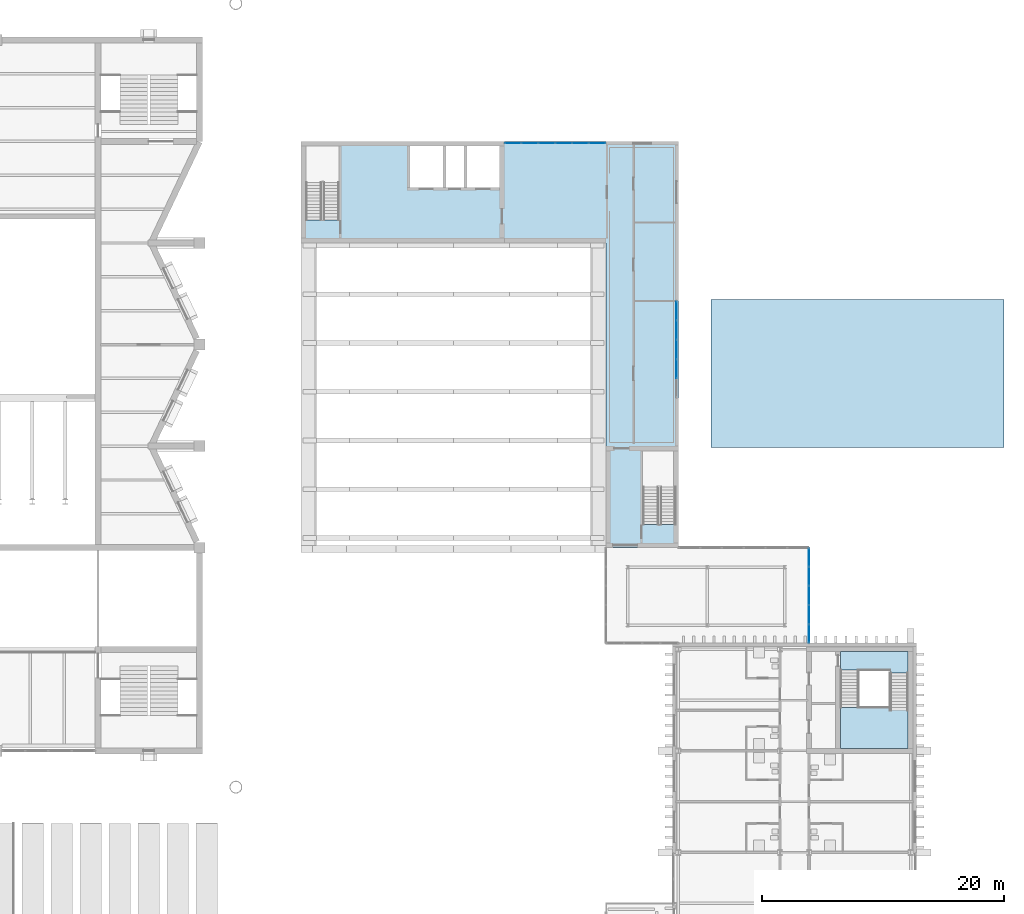
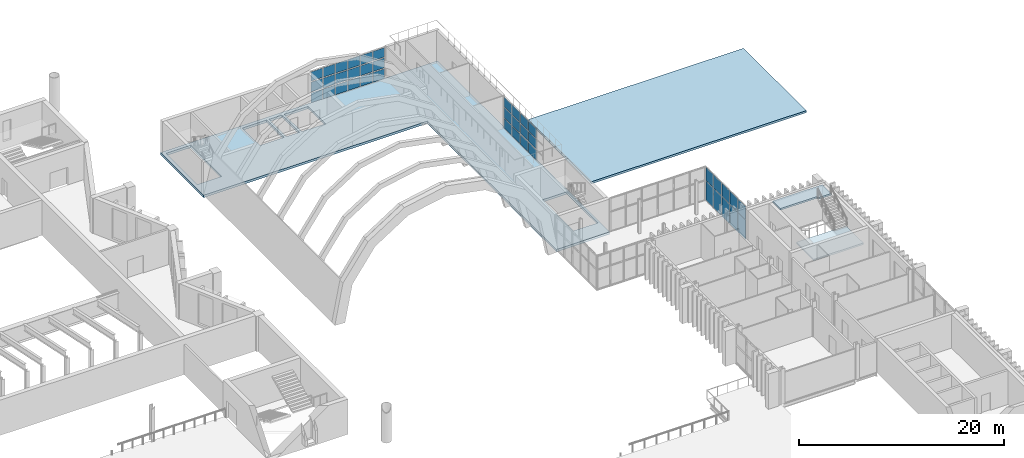
# One storey, part 55 of 96: 40 plates, 4 slabs, 4 elements without a shape of their own.
"""IFC4 building model written with IfcOpenShell, lengths in metres."""

from ifc_helpers import new_model, si_unit, direction, frame, origin, origin_2d, place, context, subcontext, project, spatial, polyline, rectangle, outline, extrude, material, layer, layer_set, type_object, element, aggregate, save


model = new_model("IFC4")

# Units and contexts
model_context = context("Model", 3, precision=1e-05, world=origin(), true_north=direction((0.0, 1.0)))
body_context = subcontext(model_context, "Body", "Model", "MODEL_VIEW")
ifc_project = project(units=[si_unit("LENGTHUNIT", "METRE"), si_unit("AREAUNIT", "SQUARE_METRE"), si_unit("VOLUMEUNIT", "CUBIC_METRE"), si_unit("PLANEANGLEUNIT", "RADIAN"), si_unit("MASSUNIT", "GRAM", prefix="KILO")], contexts=[model_context])

# Site, building, storey
site_placement = place(None, origin())
site = spatial("IfcSite", under=ifc_project, at=site_placement, CompositionType="ELEMENT")
building_placement = place(site_placement, origin())
building = spatial("IfcBuilding", under=site, at=building_placement, Name="Cresset Court Congress Hotel", CompositionType="ELEMENT")
storey_placement = place(building_placement, frame((0.0, 0.0, 6.0)))
storey = spatial("IfcBuildingStorey", under=building, at=storey_placement, Name="L01", CompositionType="ELEMENT", Elevation=6.0)

# Curtain wall, plates
ifc_material_1 = material(Name="Aluminium frame with insulated glass", Category="aluminium")
curtain_wall_type_1 = type_object("IfcCurtainWallType", Name="Curtain wall module 1600", PredefinedType="NOTDEFINED", material=ifc_material_1)
curtain_wall_1_placement = place(storey_placement, origin())
curtain_wall_1 = element("IfcCurtainWall", 1, at=curtain_wall_1_placement, inside=storey, type_object=curtain_wall_type_1, Name="Curtain wall E", PredefinedType="NOTDEFINED")
ifc_material_2 = material(Name="Laminated glass", Category="glass")
ifc_layer_1 = layer(ifc_material_2, 0.028076171875)
ifc_layer_set_1 = layer_set([ifc_layer_1], Name="Curtain wall glass panel 28")
plate_type_1 = type_object("IfcPlateType", Name="Curtain wall glass panel 28", PredefinedType="CURTAIN_PANEL", material=ifc_layer_set_1)
plate_1_placement = place(storey_placement, frame((157.050048828125, 90.39990234375, 0.1201171875), z_axis=(0.0, 0.0, 1.0), x_axis=(0.0, 1.0, 0.0)))
plate_1 = element("IfcPlate", 2, at=plate_1_placement, type_object=plate_type_1, Name="D-X3 panel 2.1", PredefinedType="CURTAIN_PANEL", context=body_context, shape_type="SweptSolid", body=[
    extrude(rectangle(XDim=1.5400390625, YDim=0.028076171875, at=origin_2d()), origin(), (0.0, 0.0, 1.0), 1.153076171875),
])
plate_2_placement = place(storey_placement, frame((157.050048828125, 90.39990234375, 1.39306640625), z_axis=(0.0, 0.0, 1.0), x_axis=(0.0, 1.0, 0.0)))
plate_2 = element("IfcPlate", 3, at=plate_2_placement, type_object=plate_type_1, Name="D-X3 panel 2.2", PredefinedType="CURTAIN_PANEL", context=body_context, shape_type="SweptSolid", body=[
    extrude(rectangle(XDim=1.5400390625, YDim=0.028076171875, at=origin_2d()), origin(), (0.0, 0.0, 1.0), 1.173095703125),
])
plate_3_placement = place(storey_placement, frame((157.050048828125, 90.39990234375, 2.68603515625), z_axis=(0.0, 0.0, 1.0), x_axis=(0.0, 1.0, 0.0)))
plate_3 = element("IfcPlate", 4, at=plate_3_placement, type_object=plate_type_1, Name="D-X3 panel 2.3", PredefinedType="CURTAIN_PANEL", context=body_context, shape_type="SweptSolid", body=[
    extrude(rectangle(XDim=1.5400390625, YDim=0.028076171875, at=origin_2d()), origin(), (0.0, 0.0, 1.0), 1.114013671875),
])
plate_4_placement = place(storey_placement, frame((157.050048828125, 92.0, 0.1201171875), z_axis=(0.0, 0.0, 1.0), x_axis=(0.0, 1.0, 0.0)))
plate_4 = element("IfcPlate", 5, at=plate_4_placement, type_object=plate_type_1, Name="D-X3 panel 3.1", PredefinedType="CURTAIN_PANEL", context=body_context, shape_type="SweptSolid", body=[
    extrude(rectangle(XDim=1.5400390625, YDim=0.028076171875, at=origin_2d()), origin(), (0.0, 0.0, 1.0), 1.153076171875),
])
plate_5_placement = place(storey_placement, frame((157.050048828125, 92.0, 1.39306640625), z_axis=(0.0, 0.0, 1.0), x_axis=(0.0, 1.0, 0.0)))
plate_5 = element("IfcPlate", 6, at=plate_5_placement, type_object=plate_type_1, Name="D-X3 panel 3.2", PredefinedType="CURTAIN_PANEL", context=body_context, shape_type="SweptSolid", body=[
    extrude(rectangle(XDim=1.5400390625, YDim=0.028076171875, at=origin_2d()), origin(), (0.0, 0.0, 1.0), 1.173095703125),
])
plate_6_placement = place(storey_placement, frame((157.050048828125, 92.0, 2.68603515625), z_axis=(0.0, 0.0, 1.0), x_axis=(0.0, 1.0, 0.0)))
plate_6 = element("IfcPlate", 7, at=plate_6_placement, type_object=plate_type_1, Name="D-X3 panel 3.3", PredefinedType="CURTAIN_PANEL", context=body_context, shape_type="SweptSolid", body=[
    extrude(rectangle(XDim=1.5400390625, YDim=0.028076171875, at=origin_2d()), origin(), (0.0, 0.0, 1.0), 1.114013671875),
])
plate_7_placement = place(storey_placement, frame((157.050048828125, 93.60009765625, 0.1201171875), z_axis=(0.0, 0.0, 1.0), x_axis=(0.0, 1.0, 0.0)))
plate_7 = element("IfcPlate", 8, at=plate_7_placement, type_object=plate_type_1, Name="D-X3 panel 4.1", PredefinedType="CURTAIN_PANEL", context=body_context, shape_type="SweptSolid", body=[
    extrude(rectangle(XDim=1.5400390625, YDim=0.028076171875, at=origin_2d()), origin(), (0.0, 0.0, 1.0), 1.153076171875),
])
plate_8_placement = place(storey_placement, frame((157.050048828125, 93.60009765625, 1.39306640625), z_axis=(0.0, 0.0, 1.0), x_axis=(0.0, 1.0, 0.0)))
plate_8 = element("IfcPlate", 9, at=plate_8_placement, type_object=plate_type_1, Name="D-X3 panel 4.2", PredefinedType="CURTAIN_PANEL", context=body_context, shape_type="SweptSolid", body=[
    extrude(rectangle(XDim=1.5400390625, YDim=0.028076171875, at=origin_2d()), origin(), (0.0, 0.0, 1.0), 1.173095703125),
])
plate_9_placement = place(storey_placement, frame((157.050048828125, 93.60009765625, 2.68603515625), z_axis=(0.0, 0.0, 1.0), x_axis=(0.0, 1.0, 0.0)))
plate_9 = element("IfcPlate", 10, at=plate_9_placement, type_object=plate_type_1, Name="D-X3 panel 4.3", PredefinedType="CURTAIN_PANEL", context=body_context, shape_type="SweptSolid", body=[
    extrude(rectangle(XDim=1.5400390625, YDim=0.028076171875, at=origin_2d()), origin(), (0.0, 0.0, 1.0), 1.114013671875),
])
plate_10_placement = place(storey_placement, frame((157.050048828125, 95.18505859375, 0.1201171875), z_axis=(0.0, 0.0, 1.0), x_axis=(0.0, 1.0, 0.0)))
plate_10 = element("IfcPlate", 11, at=plate_10_placement, type_object=plate_type_1, Name="D-X3 panel 5.1", PredefinedType="CURTAIN_PANEL", context=body_context, shape_type="SweptSolid", body=[
    extrude(rectangle(XDim=1.510009765625, YDim=0.028076171875, at=origin_2d()), origin(), (0.0, 0.0, 1.0), 1.153076171875),
])
plate_11_placement = place(storey_placement, frame((157.050048828125, 95.18505859375, 1.39306640625), z_axis=(0.0, 0.0, 1.0), x_axis=(0.0, 1.0, 0.0)))
plate_11 = element("IfcPlate", 12, at=plate_11_placement, type_object=plate_type_1, Name="D-X3 panel 5.2", PredefinedType="CURTAIN_PANEL", context=body_context, shape_type="SweptSolid", body=[
    extrude(rectangle(XDim=1.510009765625, YDim=0.028076171875, at=origin_2d()), origin(), (0.0, 0.0, 1.0), 1.173095703125),
])
plate_12_placement = place(storey_placement, frame((157.050048828125, 95.18505859375, 2.68603515625), z_axis=(0.0, 0.0, 1.0), x_axis=(0.0, 1.0, 0.0)))
plate_12 = element("IfcPlate", 13, at=plate_12_placement, type_object=plate_type_1, Name="D-X3 panel 5.3", PredefinedType="CURTAIN_PANEL", context=body_context, shape_type="SweptSolid", body=[
    extrude(rectangle(XDim=1.510009765625, YDim=0.028076171875, at=origin_2d()), origin(), (0.0, 0.0, 1.0), 1.114013671875),
])
aggregate(curtain_wall_1, [plate_1, plate_2, plate_3, plate_4, plate_5, plate_6, plate_7, plate_8, plate_9, plate_10, plate_11, plate_12])

ifc_material_3 = material(Name="Aluminium frame with insulated glass", Category="aluminium")
curtain_wall_type_2 = type_object("IfcCurtainWallType", Name="Curtain wall module 1400", PredefinedType="NOTDEFINED", material=ifc_material_3)
curtain_wall_2_placement = place(storey_placement, origin())
curtain_wall_2 = element("IfcCurtainWall", 14, at=curtain_wall_2_placement, inside=storey, type_object=curtain_wall_type_2, Name="Curtain wall N", PredefinedType="NOTDEFINED")
plate_13_placement = place(storey_placement, frame((143.514892578125, 109.050048828125, 0.1201171875), z_axis=(0.0, 0.0, 1.0), x_axis=(1.0, 0.0, 0.0)))
plate_13 = element("IfcPlate", 15, at=plate_13_placement, type_object=plate_type_1, Name="D-X2 panel 1.1", PredefinedType="CURTAIN_PANEL", context=body_context, shape_type="SweptSolid", body=[
    extrude(rectangle(XDim=1.31005859375, YDim=0.028076171875, at=origin_2d()), origin(), (0.0, 0.0, 1.0), 1.153076171875),
])
plate_14_placement = place(storey_placement, frame((143.514892578125, 109.050048828125, 1.39306640625), z_axis=(0.0, 0.0, 1.0), x_axis=(1.0, 0.0, 0.0)))
plate_14 = element("IfcPlate", 16, at=plate_14_placement, type_object=plate_type_1, Name="D-X2 panel 1.2", PredefinedType="CURTAIN_PANEL", context=body_context, shape_type="SweptSolid", body=[
    extrude(rectangle(XDim=1.31005859375, YDim=0.028076171875, at=origin_2d()), origin(), (0.0, 0.0, 1.0), 1.173095703125),
])
plate_15_placement = place(storey_placement, frame((143.514892578125, 109.050048828125, 2.68603515625), z_axis=(0.0, 0.0, 1.0), x_axis=(1.0, 0.0, 0.0)))
plate_15 = element("IfcPlate", 17, at=plate_15_placement, type_object=plate_type_1, Name="D-X2 panel 1.3", PredefinedType="CURTAIN_PANEL", context=body_context, shape_type="SweptSolid", body=[
    extrude(rectangle(XDim=1.31005859375, YDim=0.028076171875, at=origin_2d()), origin(), (0.0, 0.0, 1.0), 1.114013671875),
])
plate_16_placement = place(storey_placement, frame((144.89990234375, 109.050048828125, 0.1201171875), z_axis=(0.0, 0.0, 1.0), x_axis=(1.0, 0.0, 0.0)))
plate_16 = element("IfcPlate", 18, at=plate_16_placement, type_object=plate_type_1, Name="D-X2 panel 2.1", PredefinedType="CURTAIN_PANEL", context=body_context, shape_type="SweptSolid", body=[
    extrude(rectangle(XDim=1.340087890625, YDim=0.028076171875, at=origin_2d()), origin(), (0.0, 0.0, 1.0), 1.153076171875),
])
plate_17_placement = place(storey_placement, frame((144.89990234375, 109.050048828125, 1.39306640625), z_axis=(0.0, 0.0, 1.0), x_axis=(1.0, 0.0, 0.0)))
plate_17 = element("IfcPlate", 19, at=plate_17_placement, type_object=plate_type_1, Name="D-X2 panel 2.2", PredefinedType="CURTAIN_PANEL", context=body_context, shape_type="SweptSolid", body=[
    extrude(rectangle(XDim=1.340087890625, YDim=0.028076171875, at=origin_2d()), origin(), (0.0, 0.0, 1.0), 1.173095703125),
])
plate_18_placement = place(storey_placement, frame((144.89990234375, 109.050048828125, 2.68603515625), z_axis=(0.0, 0.0, 1.0), x_axis=(1.0, 0.0, 0.0)))
plate_18 = element("IfcPlate", 20, at=plate_18_placement, type_object=plate_type_1, Name="D-X2 panel 2.3", PredefinedType="CURTAIN_PANEL", context=body_context, shape_type="SweptSolid", body=[
    extrude(rectangle(XDim=1.340087890625, YDim=0.028076171875, at=origin_2d()), origin(), (0.0, 0.0, 1.0), 1.114013671875),
])
plate_19_placement = place(storey_placement, frame((146.300048828125, 109.050048828125, 0.1201171875), z_axis=(0.0, 0.0, 1.0), x_axis=(1.0, 0.0, 0.0)))
plate_19 = element("IfcPlate", 21, at=plate_19_placement, type_object=plate_type_1, Name="D-X2 panel 3.1", PredefinedType="CURTAIN_PANEL", context=body_context, shape_type="SweptSolid", body=[
    extrude(rectangle(XDim=1.340087890625, YDim=0.028076171875, at=origin_2d()), origin(), (0.0, 0.0, 1.0), 1.153076171875),
])
plate_20_placement = place(storey_placement, frame((146.300048828125, 109.050048828125, 1.39306640625), z_axis=(0.0, 0.0, 1.0), x_axis=(1.0, 0.0, 0.0)))
plate_20 = element("IfcPlate", 22, at=plate_20_placement, type_object=plate_type_1, Name="D-X2 panel 3.2", PredefinedType="CURTAIN_PANEL", context=body_context, shape_type="SweptSolid", body=[
    extrude(rectangle(XDim=1.340087890625, YDim=0.028076171875, at=origin_2d()), origin(), (0.0, 0.0, 1.0), 1.173095703125),
])
plate_21_placement = place(storey_placement, frame((146.300048828125, 109.050048828125, 2.68603515625), z_axis=(0.0, 0.0, 1.0), x_axis=(1.0, 0.0, 0.0)))
plate_21 = element("IfcPlate", 23, at=plate_21_placement, type_object=plate_type_1, Name="D-X2 panel 3.3", PredefinedType="CURTAIN_PANEL", context=body_context, shape_type="SweptSolid", body=[
    extrude(rectangle(XDim=1.340087890625, YDim=0.028076171875, at=origin_2d()), origin(), (0.0, 0.0, 1.0), 1.114013671875),
])
plate_22_placement = place(storey_placement, frame((147.699951171875, 109.050048828125, 0.1201171875), z_axis=(0.0, 0.0, 1.0), x_axis=(1.0, 0.0, 0.0)))
plate_22 = element("IfcPlate", 24, at=plate_22_placement, type_object=plate_type_1, Name="D-X2 panel 4.1", PredefinedType="CURTAIN_PANEL", context=body_context, shape_type="SweptSolid", body=[
    extrude(rectangle(XDim=1.340087890625, YDim=0.028076171875, at=origin_2d()), origin(), (0.0, 0.0, 1.0), 1.153076171875),
])
plate_23_placement = place(storey_placement, frame((147.699951171875, 109.050048828125, 1.39306640625), z_axis=(0.0, 0.0, 1.0), x_axis=(1.0, 0.0, 0.0)))
plate_23 = element("IfcPlate", 25, at=plate_23_placement, type_object=plate_type_1, Name="D-X2 panel 4.2", PredefinedType="CURTAIN_PANEL", context=body_context, shape_type="SweptSolid", body=[
    extrude(rectangle(XDim=1.340087890625, YDim=0.028076171875, at=origin_2d()), origin(), (0.0, 0.0, 1.0), 1.173095703125),
])
plate_24_placement = place(storey_placement, frame((147.699951171875, 109.050048828125, 2.68603515625), z_axis=(0.0, 0.0, 1.0), x_axis=(1.0, 0.0, 0.0)))
plate_24 = element("IfcPlate", 26, at=plate_24_placement, type_object=plate_type_1, Name="D-X2 panel 4.3", PredefinedType="CURTAIN_PANEL", context=body_context, shape_type="SweptSolid", body=[
    extrude(rectangle(XDim=1.340087890625, YDim=0.028076171875, at=origin_2d()), origin(), (0.0, 0.0, 1.0), 1.114013671875),
])
plate_25_placement = place(storey_placement, frame((149.10009765625, 109.050048828125, 0.1201171875), z_axis=(0.0, 0.0, 1.0), x_axis=(1.0, 0.0, 0.0)))
plate_25 = element("IfcPlate", 27, at=plate_25_placement, type_object=plate_type_1, Name="D-X2 panel 5.1", PredefinedType="CURTAIN_PANEL", context=body_context, shape_type="SweptSolid", body=[
    extrude(rectangle(XDim=1.340087890625, YDim=0.028076171875, at=origin_2d()), origin(), (0.0, 0.0, 1.0), 1.153076171875),
])
plate_26_placement = place(storey_placement, frame((149.10009765625, 109.050048828125, 1.39306640625), z_axis=(0.0, 0.0, 1.0), x_axis=(1.0, 0.0, 0.0)))
plate_26 = element("IfcPlate", 28, at=plate_26_placement, type_object=plate_type_1, Name="D-X2 panel 5.2", PredefinedType="CURTAIN_PANEL", context=body_context, shape_type="SweptSolid", body=[
    extrude(rectangle(XDim=1.340087890625, YDim=0.028076171875, at=origin_2d()), origin(), (0.0, 0.0, 1.0), 1.173095703125),
])
plate_27_placement = place(storey_placement, frame((149.10009765625, 109.050048828125, 2.68603515625), z_axis=(0.0, 0.0, 1.0), x_axis=(1.0, 0.0, 0.0)))
plate_27 = element("IfcPlate", 29, at=plate_27_placement, type_object=plate_type_1, Name="D-X2 panel 5.3", PredefinedType="CURTAIN_PANEL", context=body_context, shape_type="SweptSolid", body=[
    extrude(rectangle(XDim=1.340087890625, YDim=0.028076171875, at=origin_2d()), origin(), (0.0, 0.0, 1.0), 1.114013671875),
])
plate_28_placement = place(storey_placement, frame((150.485107421875, 109.050048828125, 0.1201171875), z_axis=(0.0, 0.0, 1.0), x_axis=(1.0, 0.0, 0.0)))
plate_28 = element("IfcPlate", 30, at=plate_28_placement, type_object=plate_type_1, Name="D-X2 panel 6.1", PredefinedType="CURTAIN_PANEL", context=body_context, shape_type="SweptSolid", body=[
    extrude(rectangle(XDim=1.31005859375, YDim=0.028076171875, at=origin_2d()), origin(), (0.0, 0.0, 1.0), 1.153076171875),
])
plate_29_placement = place(storey_placement, frame((150.485107421875, 109.050048828125, 1.39306640625), z_axis=(0.0, 0.0, 1.0), x_axis=(1.0, 0.0, 0.0)))
plate_29 = element("IfcPlate", 31, at=plate_29_placement, type_object=plate_type_1, Name="D-X2 panel 6.2", PredefinedType="CURTAIN_PANEL", context=body_context, shape_type="SweptSolid", body=[
    extrude(rectangle(XDim=1.31005859375, YDim=0.028076171875, at=origin_2d()), origin(), (0.0, 0.0, 1.0), 1.173095703125),
])
plate_30_placement = place(storey_placement, frame((150.485107421875, 109.050048828125, 2.68603515625), z_axis=(0.0, 0.0, 1.0), x_axis=(1.0, 0.0, 0.0)))
plate_30 = element("IfcPlate", 32, at=plate_30_placement, type_object=plate_type_1, Name="D-X2 panel 6.3", PredefinedType="CURTAIN_PANEL", context=body_context, shape_type="SweptSolid", body=[
    extrude(rectangle(XDim=1.31005859375, YDim=0.028076171875, at=origin_2d()), origin(), (0.0, 0.0, 1.0), 1.114013671875),
])
aggregate(curtain_wall_2, [plate_13, plate_14, plate_15, plate_16, plate_17, plate_18, plate_19, plate_20, plate_21, plate_22, plate_23, plate_24, plate_25, plate_26, plate_27, plate_28, plate_29, plate_30])

# Slab
ifc_material_4 = material(Name="Concrete C40", Category="concrete")
ifc_layer_2 = layer(ifc_material_4, 0.25)
ifc_layer_set_2 = layer_set([ifc_layer_2], Name="Dock roof slab 250")
slab_type_1 = type_object("IfcSlabType", Name="Dock roof slab 250", PredefinedType="ROOF", material=ifc_layer_set_2)
slab_1_placement = place(storey_placement, frame((0.0, 0.0, -0.25)))
element("IfcSlab", 33, at=slab_1_placement, inside=storey, type_object=slab_type_1, Name="S.svc.DK.roof", PredefinedType="ROOF", context=body_context, shape_type="SweptSolid", body=[
    extrude(outline(polyline([(159.875, 83.875), (184.125, 83.875), (184.125, 96.125), (159.875, 96.125), (159.875, 83.875)])), origin(), (0.0, 0.0, 1.0), 0.25),
])

# Curtain wall, plates
ifc_material_5 = material(Name="Aluminium and glass", Category="aluminium")
ifc_layer_3 = layer(ifc_material_5, 0.199951171875)
ifc_layer_set_3 = layer_set([ifc_layer_3], Name="Link curtain wall")
curtain_wall_type_3 = type_object("IfcCurtainWallType", Name="Link curtain wall", PredefinedType="NOTDEFINED", material=ifc_layer_set_3)
curtain_wall_3_placement = place(storey_placement, origin())
curtain_wall_3 = element("IfcCurtainWall", 34, at=curtain_wall_3_placement, inside=storey, type_object=curtain_wall_type_3, Name="Link curtain wall E", PredefinedType="NOTDEFINED")
ifc_material_6 = material(Name="Laminated glass", Category="glass")
ifc_layer_4 = layer(ifc_material_6, 0.028076171875)
ifc_layer_set_4 = layer_set([ifc_layer_4], Name="Link glass panel 28")
plate_type_2 = type_object("IfcPlateType", Name="Link glass panel 28", PredefinedType="CURTAIN_PANEL", material=ifc_layer_set_4)
plate_31_placement = place(storey_placement, frame((168.0, 68.5048828125, 0.06005859375), z_axis=(0.0, 0.0, 1.0), x_axis=(0.0, 1.0, 0.0)))
plate_31 = element("IfcPlate", 35, at=plate_31_placement, type_object=plate_type_2, Name="S-X1 panel 1.1", PredefinedType="CURTAIN_PANEL", context=body_context, shape_type="SweptSolid", body=[
    extrude(rectangle(XDim=1.489990234375, YDim=0.028076171875, at=origin_2d()), origin(), (0.0, 0.0, 1.0), 2.31005859375),
])
plate_32_placement = place(storey_placement, frame((168.0, 68.5048828125, 2.429931640625), z_axis=(0.0, 0.0, 1.0), x_axis=(0.0, 1.0, 0.0)))
plate_32 = element("IfcPlate", 36, at=plate_32_placement, type_object=plate_type_2, Name="S-X1 panel 1.2", PredefinedType="CURTAIN_PANEL", context=body_context, shape_type="SweptSolid", body=[
    extrude(rectangle(XDim=1.489990234375, YDim=0.028076171875, at=origin_2d()), origin(), (0.0, 0.0, 1.0), 1.56005859375),
])
plate_33_placement = place(storey_placement, frame((168.0, 70.070068359375, 0.06005859375), z_axis=(0.0, 0.0, 1.0), x_axis=(0.0, 1.0, 0.0)))
plate_33 = element("IfcPlate", 37, at=plate_33_placement, type_object=plate_type_2, Name="S-X1 panel 2.1", PredefinedType="CURTAIN_PANEL", context=body_context, shape_type="SweptSolid", body=[
    extrude(rectangle(XDim=1.52001953125, YDim=0.028076171875, at=origin_2d()), origin(), (0.0, 0.0, 1.0), 2.31005859375),
])
plate_34_placement = place(storey_placement, frame((168.0, 70.070068359375, 2.429931640625), z_axis=(0.0, 0.0, 1.0), x_axis=(0.0, 1.0, 0.0)))
plate_34 = element("IfcPlate", 38, at=plate_34_placement, type_object=plate_type_2, Name="S-X1 panel 2.2", PredefinedType="CURTAIN_PANEL", context=body_context, shape_type="SweptSolid", body=[
    extrude(rectangle(XDim=1.52001953125, YDim=0.028076171875, at=origin_2d()), origin(), (0.0, 0.0, 1.0), 1.56005859375),
])
plate_35_placement = place(storey_placement, frame((168.0, 71.64990234375, 0.06005859375), z_axis=(0.0, 0.0, 1.0), x_axis=(0.0, 1.0, 0.0)))
plate_35 = element("IfcPlate", 39, at=plate_35_placement, type_object=plate_type_2, Name="S-X1 panel 3.1", PredefinedType="CURTAIN_PANEL", context=body_context, shape_type="SweptSolid", body=[
    extrude(rectangle(XDim=1.52001953125, YDim=0.028076171875, at=origin_2d()), origin(), (0.0, 0.0, 1.0), 2.31005859375),
])
plate_36_placement = place(storey_placement, frame((168.0, 71.64990234375, 2.429931640625), z_axis=(0.0, 0.0, 1.0), x_axis=(0.0, 1.0, 0.0)))
plate_36 = element("IfcPlate", 40, at=plate_36_placement, type_object=plate_type_2, Name="S-X1 panel 3.2", PredefinedType="CURTAIN_PANEL", context=body_context, shape_type="SweptSolid", body=[
    extrude(rectangle(XDim=1.52001953125, YDim=0.028076171875, at=origin_2d()), origin(), (0.0, 0.0, 1.0), 1.56005859375),
])
plate_37_placement = place(storey_placement, frame((168.0, 73.22998046875, 0.06005859375), z_axis=(0.0, 0.0, 1.0), x_axis=(0.0, 1.0, 0.0)))
plate_37 = element("IfcPlate", 41, at=plate_37_placement, type_object=plate_type_2, Name="S-X1 panel 4.1", PredefinedType="CURTAIN_PANEL", context=body_context, shape_type="SweptSolid", body=[
    extrude(rectangle(XDim=1.52001953125, YDim=0.028076171875, at=origin_2d()), origin(), (0.0, 0.0, 1.0), 2.31005859375),
])
plate_38_placement = place(storey_placement, frame((168.0, 73.22998046875, 2.429931640625), z_axis=(0.0, 0.0, 1.0), x_axis=(0.0, 1.0, 0.0)))
plate_38 = element("IfcPlate", 42, at=plate_38_placement, type_object=plate_type_2, Name="S-X1 panel 4.2", PredefinedType="CURTAIN_PANEL", context=body_context, shape_type="SweptSolid", body=[
    extrude(rectangle(XDim=1.52001953125, YDim=0.028076171875, at=origin_2d()), origin(), (0.0, 0.0, 1.0), 1.56005859375),
])
plate_39_placement = place(storey_placement, frame((168.0, 74.794921875, 0.06005859375), z_axis=(0.0, 0.0, 1.0), x_axis=(0.0, 1.0, 0.0)))
plate_39 = element("IfcPlate", 43, at=plate_39_placement, type_object=plate_type_2, Name="S-X1 panel 5.1", PredefinedType="CURTAIN_PANEL", context=body_context, shape_type="SweptSolid", body=[
    extrude(rectangle(XDim=1.489990234375, YDim=0.028076171875, at=origin_2d()), origin(), (0.0, 0.0, 1.0), 2.31005859375),
])
plate_40_placement = place(storey_placement, frame((168.0, 74.794921875, 2.429931640625), z_axis=(0.0, 0.0, 1.0), x_axis=(0.0, 1.0, 0.0)))
plate_40 = element("IfcPlate", 44, at=plate_40_placement, type_object=plate_type_2, Name="S-X1 panel 5.2", PredefinedType="CURTAIN_PANEL", context=body_context, shape_type="SweptSolid", body=[
    extrude(rectangle(XDim=1.489990234375, YDim=0.028076171875, at=origin_2d()), origin(), (0.0, 0.0, 1.0), 1.56005859375),
])
aggregate(curtain_wall_3, [plate_31, plate_32, plate_33, plate_34, plate_35, plate_36, plate_37, plate_38, plate_39, plate_40])

# Slab
ifc_material_7 = material(Name="Concrete C35", Category="concrete")
ifc_layer_5 = layer(ifc_material_7, 0.280029296875)
ifc_layer_set_5 = layer_set([ifc_layer_5], Name="RC floor plate 280 C35")
slab_type_2 = type_object("IfcSlabType", Name="RC floor plate 280 C35", PredefinedType="FLOOR", material=ifc_layer_set_5)
slab_2_placement = place(storey_placement, frame((0.0, 0.0, -0.280029296875)))
element("IfcSlab", 45, at=slab_2_placement, inside=storey, type_object=slab_type_2, Name="Spa floor plate L01", PredefinedType="FLOOR", context=body_context, shape_type="SweptSolid", body=[
    extrude(outline(polyline([(126.0, 100.800048828125), (151.199951171875, 100.800048828125), (151.199951171875, 75.60009765625), (157.199951171875, 75.60009765625), (157.199951171875, 109.199951171875), (126.0, 109.199951171875), (126.0, 100.800048828125)]), holes=[polyline([(135.0, 105.39990234375), (137.72509765625, 105.39990234375), (137.72509765625, 108.800048828125), (135.0, 108.800048828125), (135.0, 105.39990234375)]), polyline([(139.699951171875, 105.39990234375), (142.39990234375, 105.39990234375), (142.39990234375, 108.800048828125), (139.699951171875, 108.800048828125), (139.699951171875, 105.39990234375)]), polyline([(137.97509765625, 105.39990234375), (139.449951171875, 105.39990234375), (139.449951171875, 108.800048828125), (137.97509765625, 108.800048828125), (137.97509765625, 105.39990234375)]), polyline([(129.14990234375, 102.70068359375), (129.14990234375, 108.800048828125), (126.39990234375, 108.800048828125), (126.39990234375, 102.70068359375), (129.14990234375, 102.70068359375)]), polyline([(157.0, 77.500732421875), (157.0, 83.60009765625), (154.25, 83.60009765625), (154.25, 77.500732421875), (157.0, 77.500732421875)])]), origin(), (0.0, 0.0, 1.0), 0.280029296875),
])

# Stair, slabs
ifc_material_8 = material(Name="Concrete C40", Category="concrete")
stair_type = type_object("IfcStairType", Name="Concrete dog-leg stair 5600", PredefinedType="HALF_TURN_STAIR", material=ifc_material_8)
stair_placement = place(storey_placement, origin())
stair = element("IfcStair", 46, at=stair_placement, inside=storey, type_object=stair_type, Name="Stair A2 L01", PredefinedType="HALF_TURN_STAIR")
ifc_material_9 = material(Name="Concrete C40", Category="concrete")
ifc_layer_6 = layer(ifc_material_9, 0.199951171875)
ifc_layer_set_6 = layer_set([ifc_layer_6], Name="Stair landing 200")
slab_type_3 = type_object("IfcSlabType", Name="Stair landing 200", PredefinedType="LANDING", material=ifc_layer_set_6)
slab_3_placement = place(storey_placement, frame((0.0, 0.0, 1.89990234375)))
slab_3 = element("IfcSlab", 47, at=slab_3_placement, type_object=slab_type_3, Name="A-ST1 landing 1", PredefinedType="LANDING", context=body_context, shape_type="SweptSolid", body=[
    extrude(outline(polyline([(170.60009765625, 62.380859375), (176.199951171875, 62.380859375), (176.199951171875, 59.0), (170.60009765625, 59.0), (170.60009765625, 62.380859375)])), origin(), (0.0, 0.0, 1.0), 0.2001953125),
])
slab_4_placement = place(storey_placement, frame((0.0, 0.0, 4.0)))
slab_4 = element("IfcSlab", 48, at=slab_4_placement, type_object=slab_type_3, Name="A-ST1 landing 2", PredefinedType="LANDING", context=body_context, shape_type="SweptSolid", body=[
    extrude(outline(polyline([(170.60009765625, 67.0), (176.199951171875, 67.0), (176.199951171875, 65.2392578125), (174.699951171875, 65.2392578125), (174.699951171875, 65.499267578125), (170.60009765625, 65.499267578125), (170.60009765625, 67.0)])), origin(), (0.0, 0.0, 1.0), 0.199951171875),
])
aggregate(stair, [slab_3, slab_4])

save(model, "model.ifc")
